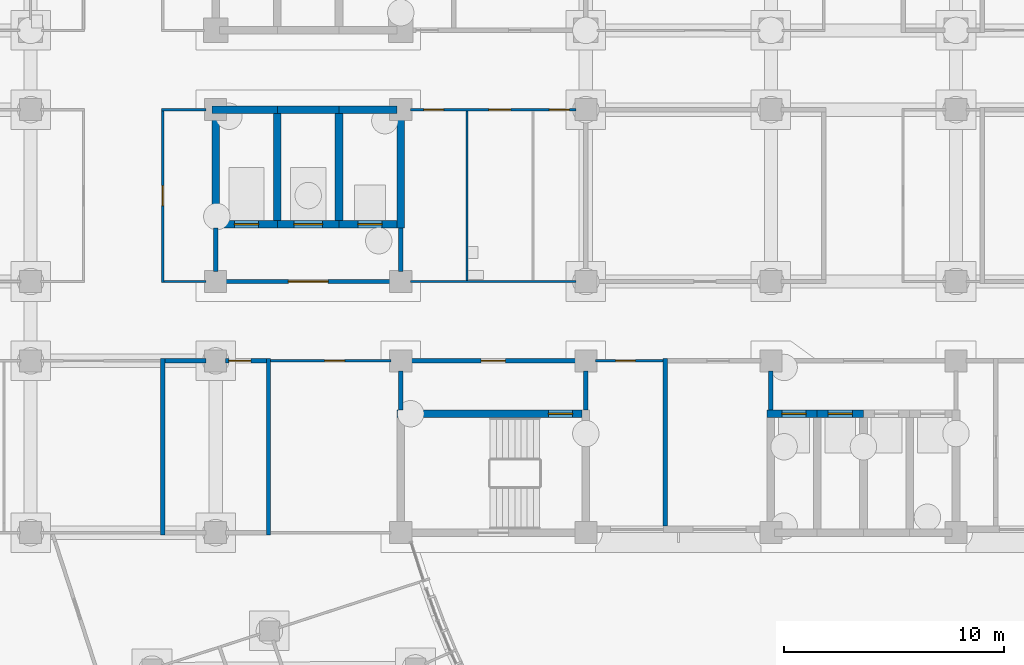
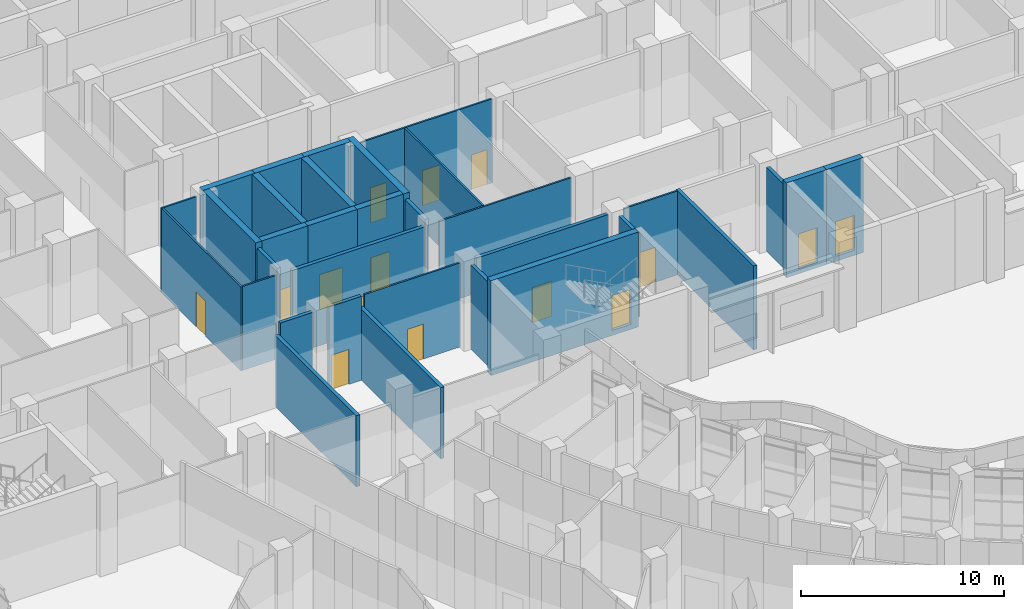
# One storey, part 70 of 146: 33 walls, 15 doors, 15 openings.
"""IFC4 building model written with IfcOpenShell, lengths in metres."""

from ifc_helpers import new_model, si_unit, direction, frame, frame_2d, origin, place, context, subcontext, project, spatial, rectangle, extrude, material, layer, layer_set, type_object, element, fill, save


model = new_model("IFC4")

# Units and contexts
model_context = context("Model", 3, precision=1e-05, world=origin(), true_north=direction((0.0, 1.0)))
body_context = subcontext(model_context, "Body", "Model", "MODEL_VIEW")
ifc_project = project(units=[si_unit("LENGTHUNIT", "METRE"), si_unit("AREAUNIT", "SQUARE_METRE"), si_unit("VOLUMEUNIT", "CUBIC_METRE"), si_unit("PLANEANGLEUNIT", "RADIAN"), si_unit("MASSUNIT", "GRAM", prefix="KILO")], contexts=[model_context])

# Site, building, storey
site_placement = place(None, origin())
site = spatial("IfcSite", under=ifc_project, at=site_placement, CompositionType="ELEMENT")
building_placement = place(site_placement, origin())
building = spatial("IfcBuilding", under=site, at=building_placement, Name="Bougainvillea Quay General Hospital", CompositionType="ELEMENT")
storey_placement = place(building_placement, origin())
storey = spatial("IfcBuildingStorey", under=building, at=storey_placement, Name="L00", CompositionType="ELEMENT", Elevation=0.0)

# Wall, openings, doors
ifc_material_1 = material(Name="Gypsum board partition on steel studs", Category="steel")
ifc_layer_1 = layer(ifc_material_1, 0.10009765625)
ifc_layer_set_1 = layer_set([ifc_layer_1], Name="Gypsum board partition on steel studs")
wall_type_1 = type_object("IfcWallType", Name="Partition 100 Gypsum board partition", PredefinedType="PARTITIONING", material=ifc_layer_set_1)
wall_1_placement = place(storey_placement, frame((83.550048828125, 136.800048828125, 0.0), z_axis=(0.0, 0.0, 1.0), x_axis=(-1.0, 0.0, 0.0)))
wall_1 = element("IfcWall", 1, at=wall_1_placement, inside=storey, type_object=wall_type_1, Name="Partition 100 mm", PredefinedType="PARTITIONING", context=body_context, shape_type="SweptSolid", body=[
    extrude(rectangle(XDim=7.5, YDim=0.10009765625, at=frame_2d((3.75, 0.0))), origin(), (0.0, 0.0, 1.0), 5.050048828125),
])
opening_1_placement = place(wall_1_placement, frame((6.0, 0.0, 0.0)))
opening_1 = element("IfcOpeningElement", 2, at=opening_1_placement, cuts=wall_1, Name="Opening L00.143", PredefinedType="OPENING", context=body_context, shape_type="SweptSolid", body=[
    extrude(rectangle(XDim=0.89990234375, YDim=2.10009765625, at=frame_2d((0.449951171875, 1.050048828125))), frame((0.0, 0.06005859375, 0.0), z_axis=(0.0, -1.0, 0.0), x_axis=(1.0, 0.0, 0.0)), (0.0, 0.0, 1.0), 0.1201171875),
])
opening_2_placement = place(wall_1_placement, frame((2.949951171875, 0.0, 0.0)))
opening_2 = element("IfcOpeningElement", 3, at=opening_2_placement, cuts=wall_1, Name="Opening L00.144", PredefinedType="OPENING", context=body_context, shape_type="SweptSolid", body=[
    extrude(rectangle(XDim=1.0, YDim=2.10009765625, at=frame_2d((0.5, 1.050048828125))), frame((0.0, 0.06005859375, 0.0), z_axis=(0.0, -1.0, 0.0), x_axis=(1.0, 0.0, 0.0)), (0.0, 0.0, 1.0), 0.1201171875),
])
opening_3_placement = place(wall_1_placement, frame((0.300048828125, 0.0, 0.0)))
opening_3 = element("IfcOpeningElement", 4, at=opening_3_placement, cuts=wall_1, Name="Opening L00.145", PredefinedType="OPENING", context=body_context, shape_type="SweptSolid", body=[
    extrude(rectangle(XDim=0.89990234375, YDim=2.10009765625, at=frame_2d((0.449951171875, 1.050048828125))), frame((0.0, 0.06005859375, 0.0), z_axis=(0.0, -1.0, 0.0), x_axis=(1.0, 0.0, 0.0)), (0.0, 0.0, 1.0), 0.1201171875),
])
ifc_material_2 = material(Name="Solid-core timber door leaf in steel frame", Category="steel")
door_type_1 = type_object("IfcDoorType", Name="Single leaf door 1000x2100", OperationType="NOTDEFINED", PredefinedType="DOOR", material=ifc_material_2)
door_1_placement = place(opening_2_placement, origin())
door_1 = element("IfcDoor", 5, at=door_1_placement, inside=storey, type_object=door_type_1, Name="DT06 L00.144", OperationType="SINGLE_SWING_LEFT", OverallHeight=2.10009765625, OverallWidth=1.0, PredefinedType="DOOR", context=body_context, shape_type="SweptSolid", body=[
    extrude(rectangle(XDim=1.0, YDim=2.10009765625, at=frame_2d((0.5, 1.050048828125))), frame((0.0, 0.02490234375, 0.0), z_axis=(0.0, -1.0, 0.0), x_axis=(1.0, 0.0, 0.0)), (0.0, 0.0, 1.0), 0.050048828125),
])
fill(opening_2, door_1)
door_type_2 = type_object("IfcDoorType", Name="Single leaf door 900x2100", OperationType="NOTDEFINED", PredefinedType="DOOR", material=ifc_material_2)
door_2_placement = place(opening_1_placement, origin())
door_2 = element("IfcDoor", 6, at=door_2_placement, inside=storey, type_object=door_type_2, Name="DT07 L00.143", OperationType="SINGLE_SWING_RIGHT", OverallHeight=2.10009765625, OverallWidth=0.89990234375, PredefinedType="DOOR", context=body_context, shape_type="SweptSolid", body=[
    extrude(rectangle(XDim=0.89990234375, YDim=2.10009765625, at=frame_2d((0.449951171875, 1.050048828125))), frame((0.0, 0.02490234375, 0.0), z_axis=(0.0, -1.0, 0.0), x_axis=(1.0, 0.0, 0.0)), (0.0, 0.0, 1.0), 0.050048828125),
])
fill(opening_1, door_2)
door_3_placement = place(opening_3_placement, origin())
door_3 = element("IfcDoor", 7, at=door_3_placement, inside=storey, type_object=door_type_2, Name="DT07 L00.145", OperationType="SINGLE_SWING_LEFT", OverallHeight=2.10009765625, OverallWidth=0.89990234375, PredefinedType="DOOR", context=body_context, shape_type="SweptSolid", body=[
    extrude(rectangle(XDim=0.89990234375, YDim=2.10009765625, at=frame_2d((0.449951171875, 1.050048828125))), frame((0.0, 0.02490234375, 0.0), z_axis=(0.0, -1.0, 0.0), x_axis=(1.0, 0.0, 0.0)), (0.0, 0.0, 1.0), 0.050048828125),
])
fill(opening_3, door_3)

# Walls
wall_2_placement = place(storey_placement, frame((66.75, 136.800048828125, 0.0), z_axis=(0.0, 0.0, 1.0), x_axis=(-1.0, 0.0, 0.0)))
element("IfcWall", 8, at=wall_2_placement, inside=storey, type_object=wall_type_1, Name="Partition 100 mm", PredefinedType="PARTITIONING", context=body_context, shape_type="SweptSolid", body=[
    extrude(rectangle(XDim=2.0, YDim=0.10009765625, at=frame_2d((1.0, 0.0))), origin(), (0.0, 0.0, 1.0), 5.050048828125),
])
wall_3_placement = place(storey_placement, frame((83.550048828125, 129.0, 0.0), z_axis=(0.0, 0.0, 1.0), x_axis=(-1.0, 0.0, 0.0)))
element("IfcWall", 9, at=wall_3_placement, inside=storey, type_object=wall_type_1, Name="Partition 100 mm", PredefinedType="PARTITIONING", context=body_context, shape_type="SweptSolid", body=[
    extrude(rectangle(XDim=7.5, YDim=0.10009765625, at=frame_2d((3.75, 0.0))), origin(), (0.0, 0.0, 1.0), 5.050048828125),
])

# Wall, opening, door
wall_4_placement = place(storey_placement, frame((64.800048828125, 128.949951171875, 0.0), z_axis=(0.0, 0.0, 1.0), x_axis=(0.0, 1.0, 0.0)))
wall_4 = element("IfcWall", 10, at=wall_4_placement, inside=storey, type_object=wall_type_1, Name="Partition 100 mm", PredefinedType="PARTITIONING", context=body_context, shape_type="SweptSolid", body=[
    extrude(rectangle(XDim=7.800048828125, YDim=0.10009765625, at=frame_2d((3.89990234375, 0.0))), origin(), (0.0, 0.0, 1.0), 5.050048828125),
])
opening_4_placement = place(wall_4_placement, frame((3.5, 0.0, 0.0)))
opening_4 = element("IfcOpeningElement", 11, at=opening_4_placement, cuts=wall_4, Name="Opening L00.136", PredefinedType="OPENING", context=body_context, shape_type="SweptSolid", body=[
    extrude(rectangle(XDim=0.89990234375, YDim=2.10009765625, at=frame_2d((0.449951171875, 1.050048828125))), frame((0.0, 0.06005859375, 0.0), z_axis=(0.0, -1.0, 0.0), x_axis=(1.0, 0.0, 0.0)), (0.0, 0.0, 1.0), 0.1201171875),
])
door_4_placement = place(opening_4_placement, frame((0.89990234375, 0.0, 0.0), z_axis=(0.0, 0.0, 1.0), x_axis=(-1.0, 0.0, 0.0)))
door_4 = element("IfcDoor", 12, at=door_4_placement, inside=storey, type_object=door_type_2, Name="DT07 L00.136", OperationType="SINGLE_SWING_LEFT", OverallHeight=2.10009765625, OverallWidth=0.89990234375, PredefinedType="DOOR", context=body_context, shape_type="SweptSolid", body=[
    extrude(rectangle(XDim=0.89990234375, YDim=2.10009765625, at=frame_2d((0.449951171875, 1.050048828125))), frame((0.0, 0.02490234375, 0.0), z_axis=(0.0, -1.0, 0.0), x_axis=(1.0, 0.0, 0.0)), (0.0, 0.0, 1.0), 0.050048828125),
])
fill(opening_4, door_4)

# Wall
wall_5_placement = place(storey_placement, frame((78.60009765625, 129.050048828125, 0.0), z_axis=(0.0, 0.0, 1.0), x_axis=(0.0, 1.0, 0.0)))
element("IfcWall", 13, at=wall_5_placement, inside=storey, type_object=wall_type_1, Name="Partition 100 mm", PredefinedType="PARTITIONING", context=body_context, shape_type="SweptSolid", body=[
    extrude(rectangle(XDim=7.699951171875, YDim=0.10009765625, at=frame_2d((3.85009765625, 0.0))), origin(), (0.0, 0.0, 1.0), 5.050048828125),
])

# Wall, opening, door
wall_6_placement = place(storey_placement, frame((69.697998046875, 125.39990234375, 0.0), z_axis=(0.0, 0.0, 1.0), x_axis=(1.0, 0.0, 0.0)))
wall_6 = element("IfcWall", 14, at=wall_6_placement, inside=storey, type_object=wall_type_1, Name="Partition 100 mm", PredefinedType="PARTITIONING", context=body_context, shape_type="SweptSolid", body=[
    extrude(rectangle(XDim=5.451904296875, YDim=0.10009765625, at=frame_2d((2.72607421875, 0.0))), origin(), (0.0, 0.0, 1.0), 5.050048828125),
])
opening_5_placement = place(wall_6_placement, frame((2.450927734375, 0.0, 0.0)))
opening_5 = element("IfcOpeningElement", 15, at=opening_5_placement, cuts=wall_6, Name="Opening L00.131", PredefinedType="OPENING", context=body_context, shape_type="SweptSolid", body=[
    extrude(rectangle(XDim=0.89990234375, YDim=2.10009765625, at=frame_2d((0.449951171875, 1.050048828125))), frame((0.0, 0.06005859375, 0.0), z_axis=(0.0, -1.0, 0.0), x_axis=(1.0, 0.0, 0.0)), (0.0, 0.0, 1.0), 0.1201171875),
])
door_5_placement = place(opening_5_placement, frame((0.89990234375, 0.0, 0.0), z_axis=(0.0, 0.0, 1.0), x_axis=(-1.0, 0.0, 0.0)))
door_5 = element("IfcDoor", 16, at=door_5_placement, inside=storey, type_object=door_type_2, Name="DT07 L00.131", OperationType="SINGLE_SWING_LEFT", OverallHeight=2.10009765625, OverallWidth=0.89990234375, PredefinedType="DOOR", context=body_context, shape_type="SweptSolid", body=[
    extrude(rectangle(XDim=0.89990234375, YDim=2.10009765625, at=frame_2d((0.449951171875, 1.050048828125))), frame((0.0, 0.02490234375, 0.0), z_axis=(0.0, -1.0, 0.0), x_axis=(1.0, 0.0, 0.0)), (0.0, 0.0, 1.0), 0.050048828125),
])
fill(opening_5, door_5)

wall_7_placement = place(storey_placement, frame((84.449951171875, 125.39990234375, 0.0), z_axis=(0.0, 0.0, 1.0), x_axis=(1.0, 0.0, 0.0)))
wall_7 = element("IfcWall", 17, at=wall_7_placement, inside=storey, type_object=wall_type_1, Name="Partition 100 mm", PredefinedType="PARTITIONING", context=body_context, shape_type="SweptSolid", body=[
    extrude(rectangle(XDim=3.048095703125, YDim=0.10009765625, at=frame_2d((1.52392578125, 0.0))), origin(), (0.0, 0.0, 1.0), 5.050048828125),
])
opening_6_placement = place(wall_7_placement, frame((0.89892578125, 0.0, 0.0)))
opening_6 = element("IfcOpeningElement", 18, at=opening_6_placement, cuts=wall_7, Name="Opening L00.137", PredefinedType="OPENING", context=body_context, shape_type="SweptSolid", body=[
    extrude(rectangle(XDim=0.89990234375, YDim=2.10009765625, at=frame_2d((0.449951171875, 1.050048828125))), frame((0.0, 0.06005859375, 0.0), z_axis=(0.0, -1.0, 0.0), x_axis=(1.0, 0.0, 0.0)), (0.0, 0.0, 1.0), 0.1201171875),
])
door_6_placement = place(opening_6_placement, frame((0.89990234375, 0.0, 0.0), z_axis=(0.0, 0.0, 1.0), x_axis=(-1.0, 0.0, 0.0)))
door_6 = element("IfcDoor", 19, at=door_6_placement, inside=storey, type_object=door_type_2, Name="DT07 L00.137", OperationType="SINGLE_SWING_RIGHT", OverallHeight=2.10009765625, OverallWidth=0.89990234375, PredefinedType="DOOR", context=body_context, shape_type="SweptSolid", body=[
    extrude(rectangle(XDim=0.89990234375, YDim=2.10009765625, at=frame_2d((0.449951171875, 1.050048828125))), frame((0.0, 0.02490234375, 0.0), z_axis=(0.0, -1.0, 0.0), x_axis=(1.0, 0.0, 0.0)), (0.0, 0.0, 1.0), 0.050048828125),
])
fill(opening_6, door_6)

# Walls
wall_8_placement = place(storey_placement, frame((64.85009765625, 129.0, 0.0), z_axis=(0.0, 0.0, 1.0), x_axis=(1.0, 0.0, 0.0)))
element("IfcWall", 20, at=wall_8_placement, inside=storey, type_object=wall_type_1, Name="Partition 100 mm", PredefinedType="PARTITIONING", context=body_context, shape_type="SweptSolid", body=[
    extrude(rectangle(XDim=1.89990234375, YDim=0.10009765625, at=frame_2d((0.949951171875, 0.0))), origin(), (0.0, 0.0, 1.0), 5.050048828125),
])
ifc_material_3 = material(Name="Autoclaved aerated block wall, plastered")
ifc_layer_2 = layer(ifc_material_3, 0.199951171875)
ifc_layer_set_2 = layer_set([ifc_layer_2], Name="Autoclaved aerated block wall, plastered")
wall_type_2 = type_object("IfcWallType", Name="Partition 200 Autoclaved aerated block wall", PredefinedType="SOLIDWALL", material=ifc_layer_set_2)
wall_9_placement = place(storey_placement, frame((87.597900390625, 117.89990234375, 0.0), z_axis=(0.0, 0.0, 1.0), x_axis=(0.0, 1.0, 0.0)))
element("IfcWall", 21, at=wall_9_placement, inside=storey, type_object=wall_type_2, Name="Partition 200 mm", PredefinedType="SOLIDWALL", context=body_context, shape_type="SweptSolid", body=[
    extrude(rectangle(XDim=7.60009765625, YDim=0.199951171875, at=frame_2d((3.800048828125, 0.0))), origin(), (0.0, 0.0, 1.0), 5.050048828125),
])

# Wall, opening, door
ifc_material_4 = material(Name="Fire-rated autoclaved aerated block wall, plastered")
ifc_layer_3 = layer(ifc_material_4, 0.199951171875)
ifc_layer_set_3 = layer_set([ifc_layer_3], Name="Fire-rated autoclaved aerated block wall, plastered")
wall_type_3 = type_object("IfcWallType", Name="Partition 200 Fire-rated autoclaved aerated block wall EI 120", PredefinedType="SOLIDWALL", material=ifc_layer_set_3)
wall_10_placement = place(storey_placement, frame((76.050048828125, 125.39990234375, 0.0), z_axis=(0.0, 0.0, 1.0), x_axis=(1.0, 0.0, 0.0)))
wall_10 = element("IfcWall", 22, at=wall_10_placement, inside=storey, type_object=wall_type_3, Name="Partition 200 mm EI 120", PredefinedType="SOLIDWALL", context=body_context, shape_type="SweptSolid", body=[
    extrude(rectangle(XDim=7.5, YDim=0.199951171875, at=frame_2d((3.75, 0.0))), origin(), (0.0, 0.0, 1.0), 5.050048828125),
])
opening_7_placement = place(wall_10_placement, frame((3.199951171875, 0.0, 0.0)))
opening_7 = element("IfcOpeningElement", 23, at=opening_7_placement, cuts=wall_10, Name="Opening L00.040", PredefinedType="OPENING", context=body_context, shape_type="SweptSolid", body=[
    extrude(rectangle(XDim=1.10009765625, YDim=2.10009765625, at=frame_2d((0.550048828125, 1.050048828125))), frame((0.0, 0.10986328125, 0.0), z_axis=(0.0, -1.0, 0.0), x_axis=(1.0, 0.0, 0.0)), (0.0, 0.0, 1.0), 0.219970703125),
])
ifc_material_5 = material(Name="Steel fire door leaf in steel frame", Category="steel")
door_type_3 = type_object("IfcDoorType", Name="Steel single leaf door 1100x2100 FD60", OperationType="NOTDEFINED", PredefinedType="DOOR", material=ifc_material_5)
door_7_placement = place(opening_7_placement, frame((1.10009765625, 0.0, 0.0), z_axis=(0.0, 0.0, 1.0), x_axis=(-1.0, 0.0, 0.0)))
door_7 = element("IfcDoor", 24, at=door_7_placement, inside=storey, type_object=door_type_3, Name="DT04 L00.040", OperationType="SINGLE_SWING_LEFT", OverallHeight=2.10009765625, OverallWidth=1.10009765625, PredefinedType="DOOR", context=body_context, shape_type="SweptSolid", body=[
    extrude(rectangle(XDim=1.10009765625, YDim=2.10009765625, at=frame_2d((0.550048828125, 1.050048828125))), frame((0.0, 0.02490234375, 0.0), z_axis=(0.0, -1.0, 0.0), x_axis=(1.0, 0.0, 0.0)), (0.0, 0.0, 1.0), 0.050048828125),
])
fill(opening_7, door_7)

wall_11_placement = place(storey_placement, frame((67.64990234375, 129.0, 0.0), z_axis=(0.0, 0.0, 1.0), x_axis=(1.0, 0.0, 0.0)))
wall_11 = element("IfcWall", 25, at=wall_11_placement, inside=storey, type_object=wall_type_3, Name="Partition 200 mm EI 120", PredefinedType="SOLIDWALL", context=body_context, shape_type="SweptSolid", body=[
    extrude(rectangle(XDim=7.5, YDim=0.199951171875, at=frame_2d((3.75, 0.0))), origin(), (0.0, 0.0, 1.0), 5.050048828125),
])
opening_8_placement = place(wall_11_placement, frame((2.85009765625, 0.0, 0.0)))
opening_8 = element("IfcOpeningElement", 26, at=opening_8_placement, cuts=wall_11, Name="Opening L00.049", PredefinedType="OPENING", context=body_context, shape_type="SweptSolid", body=[
    extrude(rectangle(XDim=1.800048828125, YDim=2.10009765625, at=frame_2d((0.89990234375, 1.050048828125))), frame((0.0, 0.10986328125, 0.0), z_axis=(0.0, -1.0, 0.0), x_axis=(1.0, 0.0, 0.0)), (0.0, 0.0, 1.0), 0.219970703125),
])
ifc_material_6 = material(Name="Steel fire door leaves in steel frame", Category="steel")
door_type_4 = type_object("IfcDoorType", Name="Steel double leaf door 1800x2100 FD60", OperationType="DOUBLE_DOOR_SINGLE_SWING", PredefinedType="DOOR", material=ifc_material_6)
door_8_placement = place(opening_8_placement, origin())
door_8 = element("IfcDoor", 27, at=door_8_placement, inside=storey, type_object=door_type_4, Name="DT05 L00.049", OperationType="DOUBLE_DOOR_SINGLE_SWING", OverallHeight=2.10009765625, OverallWidth=1.800048828125, PredefinedType="DOOR", context=body_context, shape_type="SweptSolid", body=[
    extrude(rectangle(XDim=1.800048828125, YDim=2.10009765625, at=frame_2d((0.89990234375, 1.050048828125))), frame((0.0, 0.02490234375, 0.0), z_axis=(0.0, -1.0, 0.0), x_axis=(1.0, 0.0, 0.0)), (0.0, 0.0, 1.0), 0.050048828125),
])
fill(opening_8, door_8)

# Walls
for number, where, z_axis, x_axis, name in (
    (28, (67.199951171875, 129.449951171875, 0.0), (0.0, 0.0, 1.0), (0.0, 1.0, 0.0), "Partition 200 mm EI 120"),
    (29, (75.60009765625, 129.449951171875, 0.0), (0.0, 0.0, 1.0), (0.0, 1.0, 0.0), "Partition 200 mm EI 120"),
):
    element("IfcWall", number, at=place(storey_placement, frame(where, z_axis=z_axis, x_axis=x_axis)), inside=storey, type_object=wall_type_3, Name=name, PredefinedType="SOLIDWALL", context=body_context, shape_type="SweptSolid", body=[
        extrude(rectangle(XDim=1.97509765625, YDim=0.199951171875, at=frame_2d((0.987548828125, 0.0))), origin(), (0.0, 0.0, 1.0), 5.050048828125),
    ])
for number, where, z_axis, x_axis, name in (
    (30, (75.60009765625, 123.175048828125, 0.0), (0.0, 0.0, 1.0), (0.0, 1.0, 0.0), "Partition 200 mm EI 120"),
    (31, (84.0, 123.175048828125, 0.0), (0.0, 0.0, 1.0), (0.0, 1.0, 0.0), "Partition 200 mm EI 120"),
    (32, (92.39990234375, 123.175048828125, 0.0), (0.0, 0.0, 1.0), (0.0, 1.0, 0.0), "Partition 200 mm EI 120"),
):
    element("IfcWall", number, at=place(storey_placement, frame(where, z_axis=z_axis, x_axis=x_axis)), inside=storey, type_object=wall_type_3, Name=name, PredefinedType="SOLIDWALL", context=body_context, shape_type="SweptSolid", body=[
        extrude(rectangle(XDim=1.77490234375, YDim=0.199951171875, at=frame_2d((0.887451171875, 0.0))), origin(), (0.0, 0.0, 1.0), 5.050048828125),
    ])
ifc_layer_4 = layer(ifc_material_4, 0.199951171875)
ifc_layer_set_4 = layer_set([ifc_layer_4], Name="Fire-rated autoclaved aerated block wall, plastered")
wall_type_4 = type_object("IfcWallType", Name="Partition 200 Fire-rated autoclaved aerated block wall EI 60", PredefinedType="SOLIDWALL", material=ifc_layer_set_4)
for number, where, z_axis, x_axis, name in (
    (33, (64.798095703125, 117.498046875, 0.0), (0.0, 0.0, 1.0), (0.0, 1.0, 0.0), "Partition 200 mm EI 60"),
    (34, (69.597900390625, 117.498046875, 0.0), (0.0, 0.0, 1.0), (0.0, 1.0, 0.0), "Partition 200 mm EI 60"),
):
    element("IfcWall", number, at=place(storey_placement, frame(where, z_axis=z_axis, x_axis=x_axis)), inside=storey, type_object=wall_type_4, Name=name, PredefinedType="SOLIDWALL", context=body_context, shape_type="SweptSolid", body=[
        extrude(rectangle(XDim=8.001953125, YDim=0.199951171875, at=frame_2d((4.0009765625, 0.0))), origin(), (0.0, 0.0, 1.0), 4.280029296875),
    ])
wall_12_placement = place(storey_placement, frame((64.89794921875, 125.39990234375, 0.0), z_axis=(0.0, 0.0, 1.0), x_axis=(1.0, 0.0, 0.0)))
element("IfcWall", 35, at=wall_12_placement, inside=storey, type_object=wall_type_4, Name="Partition 200 mm EI 60", PredefinedType="SOLIDWALL", context=body_context, shape_type="SweptSolid", body=[
    extrude(rectangle(XDim=1.85205078125, YDim=0.199951171875, at=frame_2d((0.926025390625, 0.0))), origin(), (0.0, 0.0, 1.0), 5.050048828125),
])

# Wall, opening, door
wall_13_placement = place(storey_placement, frame((67.64990234375, 125.39990234375, 0.0), z_axis=(0.0, 0.0, 1.0), x_axis=(1.0, 0.0, 0.0)))
wall_13 = element("IfcWall", 36, at=wall_13_placement, inside=storey, type_object=wall_type_4, Name="Partition 200 mm EI 60", PredefinedType="SOLIDWALL", context=body_context, shape_type="SweptSolid", body=[
    extrude(rectangle(XDim=1.84814453125, YDim=0.199951171875, at=frame_2d((0.924072265625, 0.0))), origin(), (0.0, 0.0, 1.0), 5.050048828125),
])
opening_9_placement = place(wall_13_placement, frame((0.14794921875, 0.0, 0.0)))
opening_9 = element("IfcOpeningElement", 37, at=opening_9_placement, cuts=wall_13, Name="Opening L00.130", PredefinedType="OPENING", context=body_context, shape_type="SweptSolid", body=[
    extrude(rectangle(XDim=1.0, YDim=2.10009765625, at=frame_2d((0.5, 1.050048828125))), frame((0.0, 0.10986328125, 0.0), z_axis=(0.0, -1.0, 0.0), x_axis=(1.0, 0.0, 0.0)), (0.0, 0.0, 1.0), 0.219970703125),
])
door_type_5 = type_object("IfcDoorType", Name="Steel single leaf door 1000x2100 FD60", OperationType="NOTDEFINED", PredefinedType="DOOR", material=ifc_material_5)
door_9_placement = place(opening_9_placement, frame((1.0, 0.0, 0.0), z_axis=(0.0, 0.0, 1.0), x_axis=(-1.0, 0.0, 0.0)))
door_9 = element("IfcDoor", 38, at=door_9_placement, inside=storey, type_object=door_type_5, Name="DT10 L00.130", OperationType="SINGLE_SWING_RIGHT", OverallHeight=2.10009765625, OverallWidth=1.0, PredefinedType="DOOR", context=body_context, shape_type="SweptSolid", body=[
    extrude(rectangle(XDim=1.0, YDim=2.10009765625, at=frame_2d((0.5, 1.050048828125))), frame((0.0, 0.02490234375, 0.0), z_axis=(0.0, -1.0, 0.0), x_axis=(1.0, 0.0, 0.0)), (0.0, 0.0, 1.0), 0.050048828125),
])
fill(opening_9, door_9)

# Walls
ifc_material_7 = material(Name="Concrete C40", Category="concrete")
ifc_layer_5 = layer(ifc_material_7, 0.35009765625)
ifc_layer_set_5 = layer_set([ifc_layer_5], Name="Concrete C40")
wall_type_5 = type_object("IfcWallType", Name="RC SHEAR WALL 350 C40", PredefinedType="SHEAR", material=ifc_layer_set_5)
wall_14_placement = place(storey_placement, frame((67.02490234375, 136.800048828125, -0.300048828125), z_axis=(0.0, 0.0, 1.0), x_axis=(1.0, 0.0, 0.0)))
element("IfcWall", 39, at=wall_14_placement, inside=storey, type_object=wall_type_5, Name="Shear wall L00", PredefinedType="SHEAR", context=body_context, shape_type="SweptSolid", body=[
    extrude(rectangle(XDim=2.97509765625, YDim=0.35009765625, at=frame_2d((1.487548828125, 0.0))), origin(), (0.0, 0.0, 1.0), 5.699951171875),
])
wall_15_placement = place(storey_placement, frame((67.199951171875, 131.425048828125, -0.300048828125), z_axis=(0.0, 0.0, 1.0), x_axis=(0.0, 1.0, 0.0)))
element("IfcWall", 40, at=wall_15_placement, inside=storey, type_object=wall_type_5, Name="Shear wall L00", PredefinedType="SHEAR", context=body_context, shape_type="SweptSolid", body=[
    extrude(rectangle(XDim=5.199951171875, YDim=0.35009765625, at=frame_2d((2.60009765625, 0.0))), origin(), (0.0, 0.0, 1.0), 5.699951171875),
])

# Wall, opening, door
wall_16_placement = place(storey_placement, frame((67.375, 131.60009765625, -0.300048828125), z_axis=(0.0, 0.0, 1.0), x_axis=(1.0, 0.0, 0.0)))
wall_16 = element("IfcWall", 41, at=wall_16_placement, inside=storey, type_object=wall_type_5, Name="Shear wall L00", PredefinedType="SHEAR", context=body_context, shape_type="SweptSolid", body=[
    extrude(rectangle(XDim=2.625, YDim=0.35009765625, at=frame_2d((1.3125, 0.0))), origin(), (0.0, 0.0, 1.0), 5.699951171875),
])
opening_10_placement = place(wall_16_placement, frame((0.675048828125, 0.0, 0.300048828125)))
opening_10 = element("IfcOpeningElement", 42, at=opening_10_placement, cuts=wall_16, Name="Opening LD-B1.1-L00", PredefinedType="OPENING", context=body_context, shape_type="SweptSolid", body=[
    extrude(rectangle(XDim=1.10009765625, YDim=2.10009765625, at=frame_2d((0.550048828125, 1.050048828125))), frame((0.0, 0.18505859375, 0.0), z_axis=(0.0, -1.0, 0.0), x_axis=(1.0, 0.0, 0.0)), (0.0, 0.0, 1.0), 0.3701171875),
])
ifc_material_8 = material(Name="Stainless steel centre-opening landing door", Category="steel")
door_type_6 = type_object("IfcDoorType", Name="Lift landing door 1100x2100 E 120", OperationType="DOUBLE_DOOR_SLIDING", PredefinedType="DOOR", material=ifc_material_8)
door_10_placement = place(opening_10_placement, origin())
door_10 = element("IfcDoor", 43, at=door_10_placement, inside=storey, type_object=door_type_6, Name="Lift landing door LB-B1-1 L00", OperationType="DOUBLE_DOOR_SLIDING", OverallHeight=2.10009765625, OverallWidth=1.10009765625, PredefinedType="DOOR", context=body_context, shape_type="SweptSolid", body=[
    extrude(rectangle(XDim=1.10009765625, YDim=2.10009765625, at=frame_2d((0.550048828125, 1.050048828125))), frame((0.0, 0.02490234375, 0.0), z_axis=(0.0, -1.0, 0.0), x_axis=(1.0, 0.0, 0.0)), (0.0, 0.0, 1.0), 0.050048828125),
])
fill(opening_10, door_10)

wall_17_placement = place(storey_placement, frame((70.0, 131.60009765625, -0.300048828125), z_axis=(0.0, 0.0, 1.0), x_axis=(1.0, 0.0, 0.0)))
wall_17 = element("IfcWall", 44, at=wall_17_placement, inside=storey, type_object=wall_type_5, Name="Shear wall L00", PredefinedType="SHEAR", context=body_context, shape_type="SweptSolid", body=[
    extrude(rectangle(XDim=2.800048828125, YDim=0.35009765625, at=frame_2d((1.39990234375, 0.0))), origin(), (0.0, 0.0, 1.0), 5.699951171875),
])
opening_11_placement = place(wall_17_placement, frame((0.75, 0.0, 0.300048828125)))
opening_11 = element("IfcOpeningElement", 45, at=opening_11_placement, cuts=wall_17, Name="Opening LD-B1.2-L00", PredefinedType="OPENING", context=body_context, shape_type="SweptSolid", body=[
    extrude(rectangle(XDim=1.300048828125, YDim=2.10009765625, at=frame_2d((0.64990234375, 1.050048828125))), frame((0.0, 0.18505859375, 0.0), z_axis=(0.0, -1.0, 0.0), x_axis=(1.0, 0.0, 0.0)), (0.0, 0.0, 1.0), 0.3701171875),
])
door_type_7 = type_object("IfcDoorType", Name="Lift landing door 1300x2100 E 120", OperationType="DOUBLE_DOOR_SLIDING", PredefinedType="DOOR", material=ifc_material_8)
door_11_placement = place(opening_11_placement, origin())
door_11 = element("IfcDoor", 46, at=door_11_placement, inside=storey, type_object=door_type_7, Name="Lift landing door LB-B1-2 L00", OperationType="DOUBLE_DOOR_SLIDING", OverallHeight=2.10009765625, OverallWidth=1.300048828125, PredefinedType="DOOR", context=body_context, shape_type="SweptSolid", body=[
    extrude(rectangle(XDim=1.300048828125, YDim=2.10009765625, at=frame_2d((0.64990234375, 1.050048828125))), frame((0.0, 0.02490234375, 0.0), z_axis=(0.0, -1.0, 0.0), x_axis=(1.0, 0.0, 0.0)), (0.0, 0.0, 1.0), 0.050048828125),
])
fill(opening_11, door_11)

# Walls
wall_18_placement = place(storey_placement, frame((70.0, 131.77490234375, -0.300048828125), z_axis=(0.0, 0.0, 1.0), x_axis=(0.0, 1.0, 0.0)))
element("IfcWall", 47, at=wall_18_placement, inside=storey, type_object=wall_type_5, Name="Shear wall L00", PredefinedType="SHEAR", context=body_context, shape_type="SweptSolid", body=[
    extrude(rectangle(XDim=4.85009765625, YDim=0.35009765625, at=frame_2d((2.425048828125, 0.0))), origin(), (0.0, 0.0, 1.0), 5.699951171875),
])
wall_19_placement = place(storey_placement, frame((70.0, 136.800048828125, -0.300048828125), z_axis=(0.0, 0.0, 1.0), x_axis=(1.0, 0.0, 0.0)))
element("IfcWall", 48, at=wall_19_placement, inside=storey, type_object=wall_type_5, Name="Shear wall L00", PredefinedType="SHEAR", context=body_context, shape_type="SweptSolid", body=[
    extrude(rectangle(XDim=2.800048828125, YDim=0.35009765625, at=frame_2d((1.39990234375, 0.0))), origin(), (0.0, 0.0, 1.0), 5.699951171875),
])

# Wall, opening, door
wall_20_placement = place(storey_placement, frame((72.800048828125, 131.60009765625, -0.300048828125), z_axis=(0.0, 0.0, 1.0), x_axis=(1.0, 0.0, 0.0)))
wall_20 = element("IfcWall", 49, at=wall_20_placement, inside=storey, type_object=wall_type_5, Name="Shear wall L00", PredefinedType="SHEAR", context=body_context, shape_type="SweptSolid", body=[
    extrude(rectangle(XDim=2.625, YDim=0.35009765625, at=frame_2d((1.3125, 0.0))), origin(), (0.0, 0.0, 1.0), 5.699951171875),
])
opening_12_placement = place(wall_20_placement, frame((0.85009765625, 0.0, 0.300048828125)))
opening_12 = element("IfcOpeningElement", 50, at=opening_12_placement, cuts=wall_20, Name="Opening LD-B1.3-L00", PredefinedType="OPENING", context=body_context, shape_type="SweptSolid", body=[
    extrude(rectangle(XDim=1.10009765625, YDim=2.10009765625, at=frame_2d((0.550048828125, 1.050048828125))), frame((0.0, 0.18505859375, 0.0), z_axis=(0.0, -1.0, 0.0), x_axis=(1.0, 0.0, 0.0)), (0.0, 0.0, 1.0), 0.3701171875),
])
door_12_placement = place(opening_12_placement, origin())
door_12 = element("IfcDoor", 51, at=door_12_placement, inside=storey, type_object=door_type_6, Name="Lift landing door LB-B1-3 L00", OperationType="DOUBLE_DOOR_SLIDING", OverallHeight=2.10009765625, OverallWidth=1.10009765625, PredefinedType="DOOR", context=body_context, shape_type="SweptSolid", body=[
    extrude(rectangle(XDim=1.10009765625, YDim=2.10009765625, at=frame_2d((0.550048828125, 1.050048828125))), frame((0.0, 0.02490234375, 0.0), z_axis=(0.0, -1.0, 0.0), x_axis=(1.0, 0.0, 0.0)), (0.0, 0.0, 1.0), 0.050048828125),
])
fill(opening_12, door_12)

# Walls
wall_21_placement = place(storey_placement, frame((72.800048828125, 131.77490234375, -0.300048828125), z_axis=(0.0, 0.0, 1.0), x_axis=(0.0, 1.0, 0.0)))
element("IfcWall", 52, at=wall_21_placement, inside=storey, type_object=wall_type_5, Name="Shear wall L00", PredefinedType="SHEAR", context=body_context, shape_type="SweptSolid", body=[
    extrude(rectangle(XDim=4.85009765625, YDim=0.35009765625, at=frame_2d((2.425048828125, 0.0))), origin(), (0.0, 0.0, 1.0), 5.699951171875),
])
wall_22_placement = place(storey_placement, frame((72.800048828125, 136.800048828125, -0.300048828125), z_axis=(0.0, 0.0, 1.0), x_axis=(1.0, 0.0, 0.0)))
element("IfcWall", 53, at=wall_22_placement, inside=storey, type_object=wall_type_5, Name="Shear wall L00", PredefinedType="SHEAR", context=body_context, shape_type="SweptSolid", body=[
    extrude(rectangle(XDim=2.625, YDim=0.35009765625, at=frame_2d((1.3125, 0.0))), origin(), (0.0, 0.0, 1.0), 5.699951171875),
])

# Wall, opening, door
wall_23_placement = place(storey_placement, frame((75.425048828125, 123.0, -0.300048828125), z_axis=(0.0, 0.0, 1.0), x_axis=(1.0, 0.0, 0.0)))
wall_23 = element("IfcWall", 54, at=wall_23_placement, inside=storey, type_object=wall_type_5, Name="Shear wall L00", PredefinedType="SHEAR", context=body_context, shape_type="SweptSolid", body=[
    extrude(rectangle(XDim=8.39990234375, YDim=0.35009765625, at=frame_2d((4.199951171875, 0.0))), origin(), (0.0, 0.0, 1.0), 5.699951171875),
])
opening_13_placement = place(wall_23_placement, frame((6.875, 0.0, 0.300048828125)))
opening_13 = element("IfcOpeningElement", 55, at=opening_13_placement, cuts=wall_23, Name="Opening L00.024", PredefinedType="OPENING", context=body_context, shape_type="SweptSolid", body=[
    extrude(rectangle(XDim=1.10009765625, YDim=2.10009765625, at=frame_2d((0.550048828125, 1.050048828125))), frame((0.0, 0.18505859375, 0.0), z_axis=(0.0, -1.0, 0.0), x_axis=(1.0, 0.0, 0.0)), (0.0, 0.0, 1.0), 0.3701171875),
])
door_13_placement = place(opening_13_placement, frame((1.10009765625, 0.0, 0.0), z_axis=(0.0, 0.0, 1.0), x_axis=(-1.0, 0.0, 0.0)))
door_13 = element("IfcDoor", 56, at=door_13_placement, inside=storey, type_object=door_type_3, Name="DT04 L00.024", OperationType="SINGLE_SWING_LEFT", OverallHeight=2.10009765625, OverallWidth=1.10009765625, PredefinedType="DOOR", context=body_context, shape_type="SweptSolid", body=[
    extrude(rectangle(XDim=1.10009765625, YDim=2.10009765625, at=frame_2d((0.550048828125, 1.050048828125))), frame((0.0, 0.02490234375, 0.0), z_axis=(0.0, -1.0, 0.0), x_axis=(1.0, 0.0, 0.0)), (0.0, 0.0, 1.0), 0.050048828125),
])
fill(opening_13, door_13)

# Wall
wall_24_placement = place(storey_placement, frame((75.60009765625, 131.425048828125, -0.300048828125), z_axis=(0.0, 0.0, 1.0), x_axis=(0.0, 1.0, 0.0)))
element("IfcWall", 57, at=wall_24_placement, inside=storey, type_object=wall_type_5, Name="Shear wall L00", PredefinedType="SHEAR", context=body_context, shape_type="SweptSolid", body=[
    extrude(rectangle(XDim=5.550048828125, YDim=0.35009765625, at=frame_2d((2.77490234375, 0.0))), origin(), (0.0, 0.0, 1.0), 5.699951171875),
])

# Wall, opening, door
wall_25_placement = place(storey_placement, frame((92.22509765625, 123.0, -0.300048828125), z_axis=(0.0, 0.0, 1.0), x_axis=(1.0, 0.0, 0.0)))
wall_25 = element("IfcWall", 58, at=wall_25_placement, inside=storey, type_object=wall_type_5, Name="Shear wall L00", PredefinedType="SHEAR", context=body_context, shape_type="SweptSolid", body=[
    extrude(rectangle(XDim=2.27490234375, YDim=0.35009765625, at=frame_2d((1.137451171875, 0.0))), origin(), (0.0, 0.0, 1.0), 5.699951171875),
])
opening_14_placement = place(wall_25_placement, frame((0.675048828125, 0.0, 0.300048828125)))
opening_14 = element("IfcOpeningElement", 59, at=opening_14_placement, cuts=wall_25, Name="Opening LD-P1.1-L00", PredefinedType="OPENING", context=body_context, shape_type="SweptSolid", body=[
    extrude(rectangle(XDim=1.10009765625, YDim=2.10009765625, at=frame_2d((0.550048828125, 1.050048828125))), frame((0.0, 0.18505859375, 0.0), z_axis=(0.0, -1.0, 0.0), x_axis=(1.0, 0.0, 0.0)), (0.0, 0.0, 1.0), 0.3701171875),
])
door_14_placement = place(opening_14_placement, origin())
door_14 = element("IfcDoor", 60, at=door_14_placement, inside=storey, type_object=door_type_6, Name="Lift landing door LB-P1-1 L00", OperationType="DOUBLE_DOOR_SLIDING", OverallHeight=2.10009765625, OverallWidth=1.10009765625, PredefinedType="DOOR", context=body_context, shape_type="SweptSolid", body=[
    extrude(rectangle(XDim=1.10009765625, YDim=2.10009765625, at=frame_2d((0.550048828125, 1.050048828125))), frame((0.0, 0.02490234375, 0.0), z_axis=(0.0, -1.0, 0.0), x_axis=(1.0, 0.0, 0.0)), (0.0, 0.0, 1.0), 0.050048828125),
])
fill(opening_14, door_14)

wall_26_placement = place(storey_placement, frame((94.5, 123.0, -0.300048828125), z_axis=(0.0, 0.0, 1.0), x_axis=(1.0, 0.0, 0.0)))
wall_26 = element("IfcWall", 61, at=wall_26_placement, inside=storey, type_object=wall_type_5, Name="Shear wall L00", PredefinedType="SHEAR", context=body_context, shape_type="SweptSolid", body=[
    extrude(rectangle(XDim=2.10009765625, YDim=0.35009765625, at=frame_2d((1.050048828125, 0.0))), origin(), (0.0, 0.0, 1.0), 5.699951171875),
])
opening_15_placement = place(wall_26_placement, frame((0.5, 0.0, 0.300048828125)))
opening_15 = element("IfcOpeningElement", 62, at=opening_15_placement, cuts=wall_26, Name="Opening LD-P1.2-L00", PredefinedType="OPENING", context=body_context, shape_type="SweptSolid", body=[
    extrude(rectangle(XDim=1.10009765625, YDim=2.10009765625, at=frame_2d((0.550048828125, 1.050048828125))), frame((0.0, 0.18505859375, 0.0), z_axis=(0.0, -1.0, 0.0), x_axis=(1.0, 0.0, 0.0)), (0.0, 0.0, 1.0), 0.3701171875),
])
door_15_placement = place(opening_15_placement, origin())
door_15 = element("IfcDoor", 63, at=door_15_placement, inside=storey, type_object=door_type_6, Name="Lift landing door LB-P1-2 L00", OperationType="DOUBLE_DOOR_SLIDING", OverallHeight=2.10009765625, OverallWidth=1.10009765625, PredefinedType="DOOR", context=body_context, shape_type="SweptSolid", body=[
    extrude(rectangle(XDim=1.10009765625, YDim=2.10009765625, at=frame_2d((0.550048828125, 1.050048828125))), frame((0.0, 0.02490234375, 0.0), z_axis=(0.0, -1.0, 0.0), x_axis=(1.0, 0.0, 0.0)), (0.0, 0.0, 1.0), 0.050048828125),
])
fill(opening_15, door_15)

save(model, "model.ifc")
